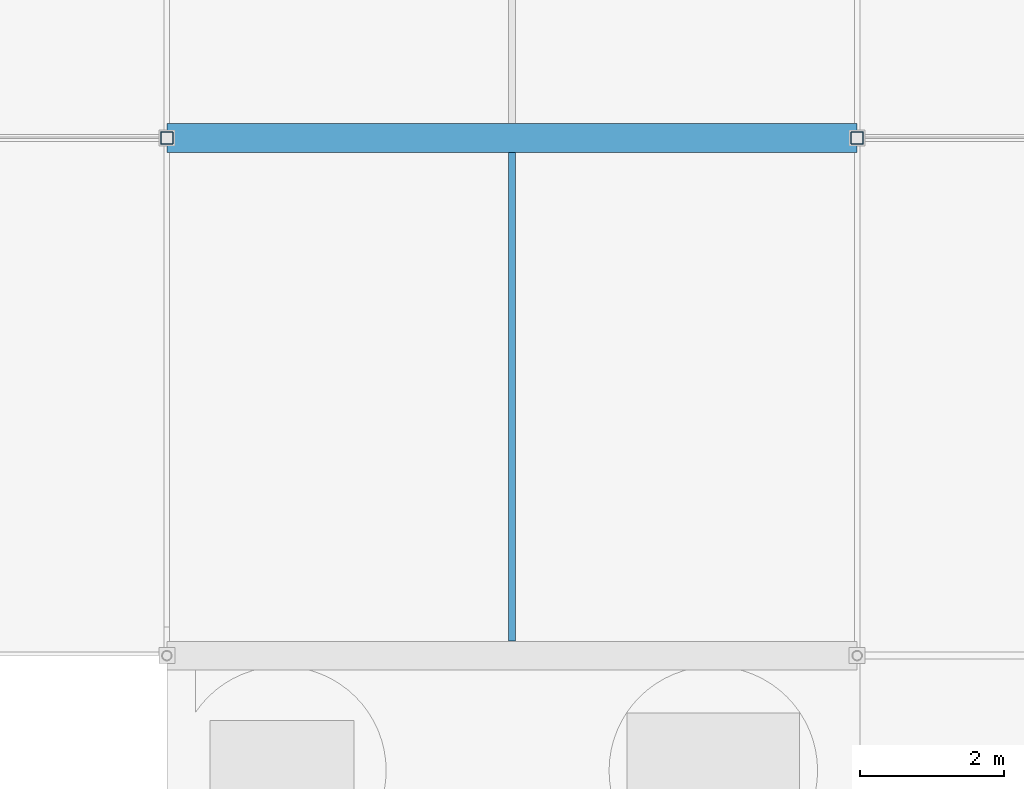
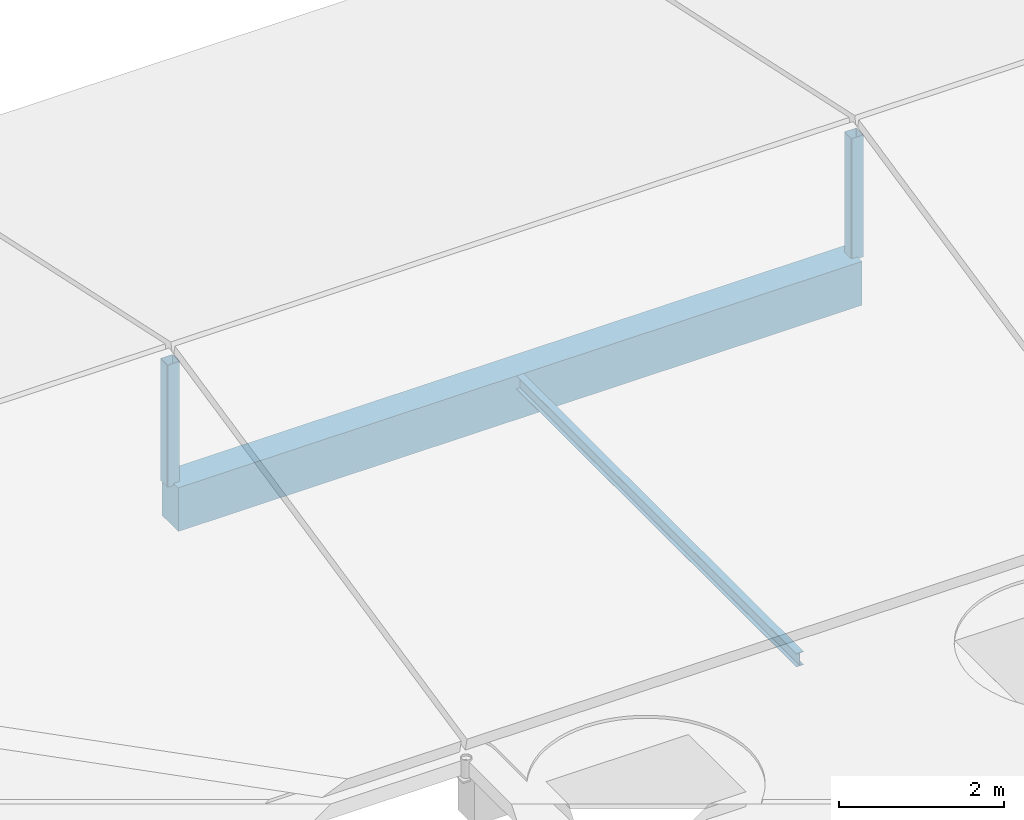
# One storey, part 3 of 11: 2 beams, 2 members.
"""IFC4 building model written with IfcOpenShell, lengths in metres."""

from ifc_helpers import new_model, si_unit, direction, frame, origin, origin_2d, place, context, subcontext, project, spatial, rectangle, hollow_rectangle, i_section, extrude, material, material_profile, profile_set, type_object, element, save


model = new_model("IFC4")

# Units and contexts
model_context = context("Model", 3, precision=1e-05, world=origin(), true_north=direction((0.0, 1.0)))
body_context = subcontext(model_context, "Body", "Model", "MODEL_VIEW")
ifc_project = project(units=[si_unit("LENGTHUNIT", "METRE"), si_unit("AREAUNIT", "SQUARE_METRE"), si_unit("VOLUMEUNIT", "CUBIC_METRE"), si_unit("PLANEANGLEUNIT", "RADIAN"), si_unit("MASSUNIT", "GRAM", prefix="KILO")], contexts=[model_context])

# Site, building, storey
site_placement = place(None, origin())
site = spatial("IfcSite", under=ifc_project, at=site_placement, CompositionType="ELEMENT")
building_placement = place(site_placement, origin())
building = spatial("IfcBuilding", under=site, at=building_placement, Name="Kisaragi Civic Commons", CompositionType="ELEMENT")
storey_placement = place(building_placement, frame((0.0, 0.0, 21.60009765625)))
storey = spatial("IfcBuildingStorey", under=building, at=storey_placement, Name="RF", CompositionType="ELEMENT", Elevation=21.60009765625)

# Beams
ifc_material_1 = material(Name="Concrete Fc30", Category="concrete")
ifc_material_profile_1 = material_profile(ifc_material_1, rectangle(XDim=0.39990234375, YDim=0.64990234375, at=origin_2d()), Name="RC-400x650", Category="concrete")
ifc_profile_set_1 = profile_set([ifc_material_profile_1], Name="Concrete Fc30")
beam_type_1 = type_object("IfcBeamType", Name="G-05", PredefinedType="BEAM", material=ifc_profile_set_1)
beam_1_placement = place(storey_placement, frame((114.0, 111.60009765625, -0.545166015625), z_axis=(1.0, 0.0, 0.0), x_axis=(0.0, 1.0, 0.0)))
element("IfcBeam", 1, at=beam_1_placement, inside=storey, type_object=beam_type_1, Name="RF girder G-05 352", PredefinedType="BEAM", context=body_context, shape_type="SweptSolid", body=[
    extrude(rectangle(XDim=0.39990234375, YDim=0.64990234375, at=origin_2d()), origin(), (0.0, 0.0, 1.0), 9.60009765625),
])
ifc_material_2 = material(Name="Steel SN400 (SN400B)", Category="steel")
ifc_material_profile_2 = material_profile(ifc_material_2, i_section(OverallWidth=0.10009765625, OverallDepth=0.199951171875, WebThickness=0.005615234375, FlangeThickness=0.008056640625, FilletRadius=0.008056640625, at=origin_2d()), Name="H-200x100x5.5x8", Category="steel")
ifc_profile_set_2 = profile_set([ifc_material_profile_2], Name="Steel SN400 (SN400B)")
beam_type_2 = type_object("IfcBeamType", Name="J-06", PredefinedType="JOIST", material=ifc_profile_set_2)
beam_2_placement = place(storey_placement, frame((118.800048828125, 104.60009765625, -0.320068359375), z_axis=(0.0, 1.0, 0.0), x_axis=(-1.0, 0.0, 0.0)))
element("IfcBeam", 2, at=beam_2_placement, inside=storey, type_object=beam_type_2, Name="RF secondary steel joist J-06 86", PredefinedType="JOIST", context=body_context, shape_type="SweptSolid", body=[
    extrude(i_section(OverallWidth=0.10009765625, OverallDepth=0.199951171875, WebThickness=0.005615234375, FlangeThickness=0.008056640625, FilletRadius=0.008056640625, at=origin_2d()), origin(), (0.0, 0.0, 1.0), 6.7998046875),
])

# Members
ifc_material_3 = material(Name="Steel STKR400", Category="steel")
ifc_material_profile_3 = material_profile(ifc_material_3, hollow_rectangle(XDim=0.175048828125, YDim=0.175048828125, WallThickness=0.006103515625, InnerFilletRadius=0.006103515625, OuterFilletRadius=0.011962890625, at=origin_2d()), Name="STKR-175x175x6", Category="steel")
ifc_profile_set_3 = profile_set([ifc_material_profile_3], Name="Steel STKR400")
member_type = type_object("IfcMemberType", Name="ST-C2", PredefinedType="STRUT", material=ifc_profile_set_3)
for number, where, z_axis, x_axis, name in (
    (3, (114.0, 111.60009765625, -0.25), (0.0, 0.0, 1.0), (1.0, 0.0, 0.0), "RF solar canopy post (114.0,111.6)"),
    (4, (123.60009765625, 111.60009765625, -0.25), (0.0, 0.0, 1.0), (1.0, 0.0, 0.0), "RF solar canopy post (123.6,111.6)"),
):
    element("IfcMember", number, at=place(storey_placement, frame(where, z_axis=z_axis, x_axis=x_axis)), inside=storey, type_object=member_type, Name=name, PredefinedType="STRUT", context=body_context, shape_type="SweptSolid", body=[
        extrude(hollow_rectangle(XDim=0.175048828125, YDim=0.175048828125, WallThickness=0.006103515625, InnerFilletRadius=0.006103515625, OuterFilletRadius=0.011962890625, at=origin_2d()), origin(), (0.0, 0.0, 1.0), 1.809814453125),
    ])

save(model, "model.ifc")
